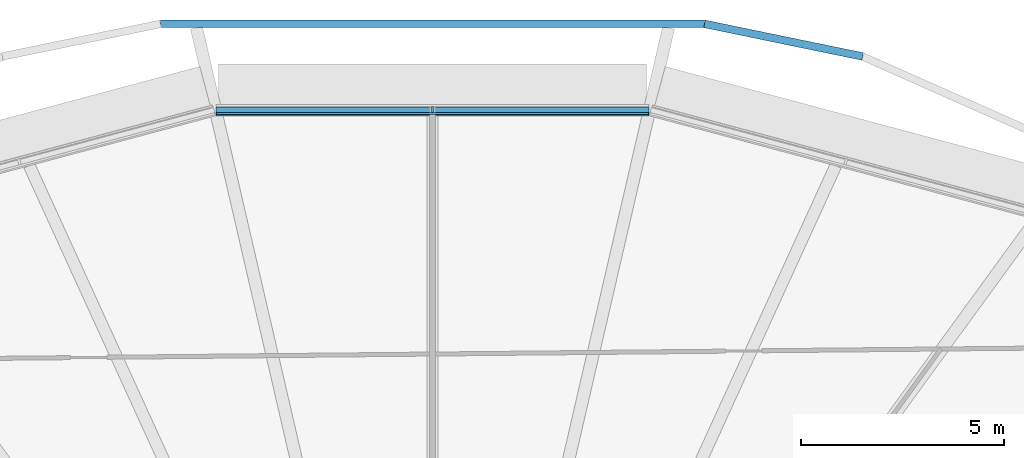
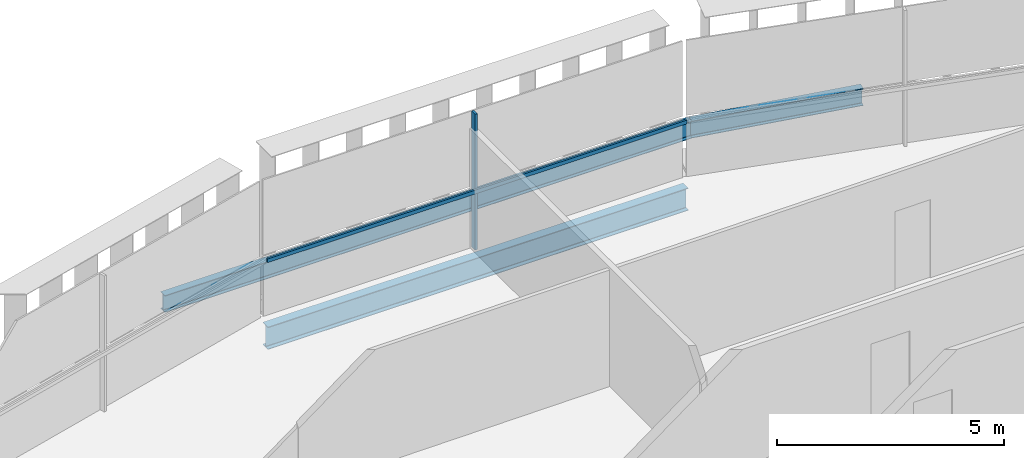
# One storey, part 10 of 24: 3 beams, 2 members, 1 element without a shape of its own.
"""IFC4 building model written with IfcOpenShell, lengths in metres."""

from ifc_helpers import new_model, si_unit, direction, frame, origin, origin_2d, place, context, subcontext, project, spatial, rectangle, i_section, extrude, material, layer, layer_set, material_profile, profile_set, type_object, element, aggregate, save


model = new_model("IFC4")

# Units and contexts
model_context = context("Model", 3, precision=1e-05, world=origin(), true_north=direction((0.0, 1.0)))
body_context = subcontext(model_context, "Body", "Model", "MODEL_VIEW")
ifc_project = project(units=[si_unit("LENGTHUNIT", "METRE"), si_unit("AREAUNIT", "SQUARE_METRE"), si_unit("VOLUMEUNIT", "CUBIC_METRE"), si_unit("PLANEANGLEUNIT", "RADIAN"), si_unit("MASSUNIT", "GRAM", prefix="KILO")], contexts=[model_context])

# Site, building, storey
site_placement = place(None, origin())
site = spatial("IfcSite", under=ifc_project, at=site_placement, CompositionType="ELEMENT")
building_placement = place(site_placement, origin())
building = spatial("IfcBuilding", under=site, at=building_placement, Name="Sahrelin Media Tower", CompositionType="ELEMENT")
storey_placement = place(building_placement, frame((0.0, 0.0, 67.199951171875)))
storey = spatial("IfcBuildingStorey", under=building, at=storey_placement, Name="L11", CompositionType="ELEMENT", Elevation=67.199951171875)

# Beam
ifc_material_1 = material(Name="Steel S355", Category="steel")
ifc_material_profile_1 = material_profile(ifc_material_1, i_section(OverallWidth=0.2275390625, OverallDepth=0.6025390625, WebThickness=0.010498046875, FlangeThickness=0.014892578125, FilletRadius=0.0126953125, at=origin_2d()), Name="UB 610x229x101")
ifc_profile_set_1 = profile_set([ifc_material_profile_1], Name="Steel S355")
beam_type_1 = type_object("IfcBeamType", Name="Edge beam EB7", PredefinedType="BEAM", material=ifc_profile_set_1)
beam_1_placement = place(storey_placement, frame((-5.336181640625, 23.0732421875, -0.451171875), z_axis=(1.0, 0.0, 0.0), x_axis=(0.0, 1.0, 0.0)))
element("IfcBeam", 1, at=beam_1_placement, inside=storey, type_object=beam_type_1, Name="Edge beam L11-19", PredefinedType="BEAM", context=body_context, shape_type="SweptSolid", body=[
    extrude(i_section(OverallWidth=0.2275390625, OverallDepth=0.6025390625, WebThickness=0.010498046875, FlangeThickness=0.014892578125, FilletRadius=0.0126953125, at=origin_2d()), origin(), (0.0, 0.0, 1.0), 10.67236328125),
])

# Curtain wall, member
ifc_material_2 = material(Name="Champagne anodised aluminium 6063-T6", Category="aluminium")
ifc_layer = layer(ifc_material_2, 0.14990234375)
ifc_layer_set = layer_set([ifc_layer], Name="Tower ribbon curtain wall")
curtain_wall_type = type_object("IfcCurtainWallType", Name="Tower ribbon curtain wall", PredefinedType="NOTDEFINED", material=ifc_layer_set)
curtain_wall_placement = place(storey_placement, frame((0.0, 23.22314453125, 0.0), z_axis=(0.0, 0.0, 1.0), x_axis=(1.0, 0.0, 0.0)))
curtain_wall = element("IfcCurtainWall", 2, at=curtain_wall_placement, inside=storey, type_object=curtain_wall_type, Name="L11:CW:L11-06", PredefinedType="NOTDEFINED")
ifc_material_profile_2 = material_profile(ifc_material_2, rectangle(XDim=0.06005859375, YDim=0.14990234375, at=origin_2d()), Name="Mullion 60x150")
ifc_profile_set_2 = profile_set([ifc_material_profile_2], Name="Champagne anodised aluminium 6063-T6")
member_type_1 = type_object("IfcMemberType", Name="Mullion 60x150 CW1", PredefinedType="MULLION", material=ifc_profile_set_2)
member_1_placement = place(storey_placement, frame((0.0, 23.128173828125, 0.0), z_axis=(0.0, 0.0, 1.0), x_axis=(-1.0, 0.0, 0.0)))
member_1 = element("IfcMember", 3, at=member_1_placement, type_object=member_type_1, Name="L11:CWM:L11-06", PredefinedType="MULLION", context=body_context, shape_type="SweptSolid", body=[
    extrude(rectangle(XDim=0.06005859375, YDim=0.14990234375, at=origin_2d()), origin(), (0.0, 0.0, 1.0), 3.648681640625),
])

# Beams
ifc_material_profile_3 = material_profile(ifc_material_1, i_section(OverallWidth=0.1904296875, OverallDepth=0.45703125, WebThickness=0.009033203125, FlangeThickness=0.014404296875, FilletRadius=0.01025390625, at=origin_2d()), Name="UB 457x191x74")
ifc_profile_set_3 = profile_set([ifc_material_profile_3], Name="Steel S355")
beam_type_2 = type_object("IfcBeamType", Name="Tie chord TC5", PredefinedType="BEAM", material=ifc_profile_set_3)
beam_2_placement = place(storey_placement, frame((10.591796875, 24.428955078125, -0.37841796875), z_axis=(-0.979384954369, 0.202002750365, 0.0), x_axis=(-0.202002750365, -0.979384954369, 0.0)))
element("IfcBeam", 4, at=beam_2_placement, inside=storey, type_object=beam_type_2, Name="Tie chord L11-05", PredefinedType="BEAM", context=body_context, shape_type="SweptSolid", body=[
    extrude(i_section(OverallWidth=0.1904296875, OverallDepth=0.45703125, WebThickness=0.009033203125, FlangeThickness=0.014404296875, FilletRadius=0.01025390625, at=origin_2d()), origin(), (0.0, 0.0, 1.0), 3.9775390625),
])
beam_3_placement = place(storey_placement, frame((6.6962890625, 25.232421875, -0.37841796875), z_axis=(-1.0, 0.0, 0.0), x_axis=(0.0, -1.0, 0.0)))
element("IfcBeam", 5, at=beam_3_placement, inside=storey, type_object=beam_type_2, Name="Tie chord L11-06", PredefinedType="BEAM", context=body_context, shape_type="SweptSolid", body=[
    extrude(i_section(OverallWidth=0.1904296875, OverallDepth=0.45703125, WebThickness=0.009033203125, FlangeThickness=0.014404296875, FilletRadius=0.01025390625, at=origin_2d()), origin(), (0.0, 0.0, 1.0), 13.392578125),
])

# Member
ifc_material_profile_4 = material_profile(ifc_material_2, rectangle(XDim=0.050048828125, YDim=0.10009765625, at=origin_2d()), Name="Transom 50x100")
ifc_profile_set_4 = profile_set([ifc_material_profile_4], Name="Champagne anodised aluminium 6063-T6")
member_type_2 = type_object("IfcMemberType", Name="Transom 50x100 CW1", PredefinedType="USERDEFINED", material=ifc_profile_set_4)
member_2_placement = place(storey_placement, frame((5.3203125, 23.0283203125, 1.60009765625), z_axis=(-1.0, 0.0, 0.0), x_axis=(0.0, -1.0, 0.0)))
member_2 = element("IfcMember", 6, at=member_2_placement, type_object=member_type_2, Name="L11:CWT:L11-06", ObjectType="TRANSOM", PredefinedType="USERDEFINED", context=body_context, shape_type="SweptSolid", body=[
    extrude(rectangle(XDim=0.050048828125, YDim=0.10009765625, at=origin_2d()), origin(), (0.0, 0.0, 1.0), 10.640625),
])

aggregate(curtain_wall, [member_1, member_2])

save(model, "model.ifc")
